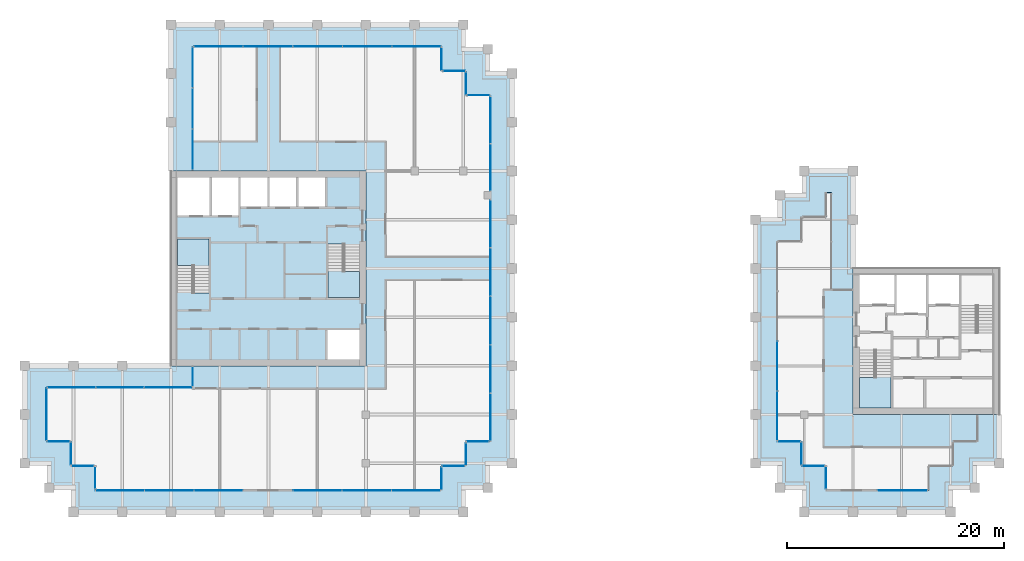
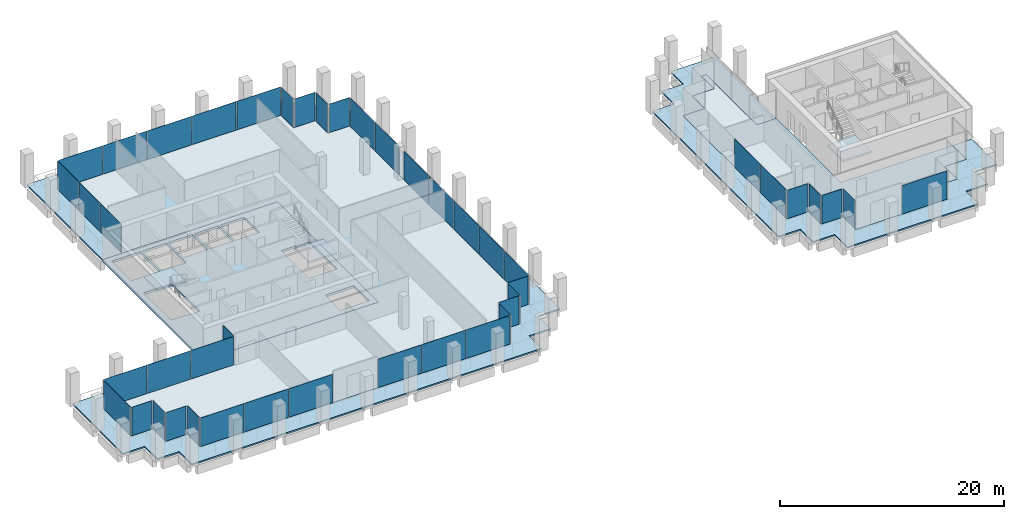
# One storey, part 34 of 40: 45 plates, 8 slabs, 30 elements without a shape of their own.
"""IFC4 building model written with IfcOpenShell, lengths in metres."""

from ifc_helpers import new_model, si_unit, direction, frame, origin, origin_2d, place, context, subcontext, project, spatial, polyline, rectangle, outline, extrude, material, layer, layer_set, type_object, element, aggregate, save


model = new_model("IFC4")

# Units and contexts
model_context = context("Model", 3, precision=1e-05, world=origin(), true_north=direction((0.0, 1.0)))
body_context = subcontext(model_context, "Body", "Model", "MODEL_VIEW")
ifc_project = project(units=[si_unit("LENGTHUNIT", "METRE"), si_unit("AREAUNIT", "SQUARE_METRE"), si_unit("VOLUMEUNIT", "CUBIC_METRE"), si_unit("PLANEANGLEUNIT", "RADIAN"), si_unit("MASSUNIT", "GRAM", prefix="KILO")], contexts=[model_context])

# Site, building, storey
site_placement = place(None, origin())
site = spatial("IfcSite", under=ifc_project, at=site_placement, CompositionType="ELEMENT")
building_placement = place(site_placement, origin())
building = spatial("IfcBuilding", under=site, at=building_placement, Name="Altepetl Exchange Towers", CompositionType="ELEMENT")
storey_placement = place(building_placement, frame((0.0, 0.0, 161.800048828125)))
storey = spatial("IfcBuildingStorey", under=building, at=storey_placement, Name="L40", CompositionType="ELEMENT", Elevation=161.800048828125)

# Slabs
ifc_material_1 = material(Name="Concrete C40/50", Category="concrete")
ifc_layer_1 = layer(ifc_material_1, 0.14990234375)
ifc_layer_set_1 = layer_set([ifc_layer_1], Name="Concrete C40/50")
slab_type_1 = type_object("IfcSlabType", Name="Composite floor slab 150", PredefinedType="FLOOR", material=ifc_layer_set_1)
slab_1_placement = place(storey_placement, frame((0.0, 0.0, -0.150146484375)))
element("IfcSlab", 1, at=slab_1_placement, inside=storey, type_object=slab_type_1, Name="slab:A:L40:strip0", PredefinedType="FLOOR", context=body_context, shape_type="SweptSolid", body=[
    extrude(outline(polyline([(42.5, 70.0), (42.5, 58.5), (58.5, 58.5), (58.5, 40.5), (42.5, 40.5), (42.5, 38.5), (29.0, 38.5), (29.0, 33.5), (31.25, 33.5), (31.25, 31.25), (33.5, 31.25), (33.5, 29.0), (65.5, 29.0), (65.5, 31.25), (67.75, 31.25), (67.75, 33.5), (70.0, 33.5), (70.0, 65.5), (67.75, 65.5), (67.75, 67.75), (65.5, 67.75), (65.5, 70.0), (42.5, 70.0)])), origin(), (0.0, 0.0, 1.0), 0.150146484375),
])
slab_2_placement = place(storey_placement, frame((0.0, 0.0, -0.150146484375)))
element("IfcSlab", 2, at=slab_2_placement, inside=storey, type_object=slab_type_1, Name="slab:B:L40:strip0", PredefinedType="FLOOR", context=body_context, shape_type="SweptSolid", body=[
    extrude(outline(polyline([(98.75, 31.25), (101.0, 31.25), (101.0, 29.0), (110.5, 29.0), (110.5, 31.25), (112.75, 31.25), (112.75, 33.5), (115.0, 33.5), (115.0, 36.0), (103.5, 36.0), (103.5, 47.5), (101.5, 47.5), (101.5, 56.5), (101.0, 56.5), (101.0, 54.25), (98.75, 54.25), (98.75, 52.0), (96.5, 52.0), (96.5, 33.5), (98.75, 33.5), (98.75, 31.25)])), origin(), (0.0, 0.0, 1.0), 0.150146484375),
])
ifc_layer_2 = layer(ifc_material_1, 0.25)
ifc_layer_set_2 = layer_set([ifc_layer_2], Name="Concrete C40/50")
slab_type_2 = type_object("IfcSlabType", Name="Core floor slab 250", PredefinedType="FLOOR", material=ifc_layer_set_2)
slab_3_placement = place(storey_placement, frame((0.0, 0.0, -0.25)))
element("IfcSlab", 3, at=slab_3_placement, inside=storey, type_object=slab_type_2, Name="slab:A:L40:core0", PredefinedType="FLOOR", context=body_context, shape_type="SweptSolid", body=[
    extrude(outline(polyline([(40.5, 40.5), (58.5, 40.5), (58.5, 58.5), (40.5, 58.5), (40.5, 40.5)]), holes=[polyline([(54.93310546875, 43.800048828125), (57.89990234375, 43.800048828125), (57.89990234375, 41.10009765625), (54.93310546875, 41.10009765625), (54.93310546875, 43.800048828125)]), polyline([(55.0, 51.7490234375), (56.5, 51.7490234375), (56.5, 51.64990234375), (57.89990234375, 51.64990234375), (57.89990234375, 46.800048828125), (55.0, 46.800048828125), (55.0, 51.7490234375)]), polyline([(44.0, 47.2509765625), (42.5, 47.2509765625), (42.5, 47.35009765625), (41.10009765625, 47.35009765625), (41.10009765625, 52.199951171875), (44.0, 52.199951171875), (44.0, 47.2509765625)]), polyline([(41.10009765625, 57.89990234375), (44.06689453125, 57.89990234375), (44.06689453125, 54.39990234375), (41.10009765625, 54.39990234375), (41.10009765625, 57.89990234375)]), polyline([(44.26708984375, 57.89990234375), (46.73291015625, 57.89990234375), (46.73291015625, 54.39990234375), (44.26708984375, 54.39990234375), (44.26708984375, 57.89990234375)]), polyline([(46.93310546875, 57.89990234375), (49.39990234375, 57.89990234375), (49.39990234375, 55.199951171875), (46.93310546875, 55.199951171875), (46.93310546875, 57.89990234375)]), polyline([(49.60009765625, 57.89990234375), (52.06689453125, 57.89990234375), (52.06689453125, 55.199951171875), (49.60009765625, 55.199951171875), (49.60009765625, 57.89990234375)]), polyline([(52.26708984375, 57.89990234375), (54.73291015625, 57.89990234375), (54.73291015625, 55.199951171875), (52.26708984375, 55.199951171875), (52.26708984375, 57.89990234375)])]), origin(), (0.0, 0.0, 1.0), 0.25),
])

# Curtain wall, plate
ifc_material_2 = material(Name="Aluminium 6063-T6 glazing", Category="aluminium")
curtain_wall_type = type_object("IfcCurtainWallType", Name="Loggia glazing system", PredefinedType="NOTDEFINED", material=ifc_material_2)
curtain_wall_1_placement = place(storey_placement, origin())
curtain_wall_1 = element("IfcCurtainWall", 4, at=curtain_wall_1_placement, inside=storey, type_object=curtain_wall_type, Name="CW1 run", PredefinedType="NOTDEFINED")
ifc_material_3 = material(Name="Glass 6-16-6 low emissivity", Category="glass")
ifc_layer_3 = layer(ifc_material_3, 0.028076171875)
ifc_layer_set_3 = layer_set([ifc_layer_3], Name="Glass 6-16-6 low emissivity")
plate_type = type_object("IfcPlateType", Name="Glass panel 28 double glazed", PredefinedType="CURTAIN_PANEL", material=ifc_layer_set_3)
plate_1_placement = place(storey_placement, frame((42.5, 39.53759765625, 0.0), z_axis=(0.0, 0.0, 1.0), x_axis=(0.0, -1.0, 0.0)))
plate_1 = element("IfcPlate", 5, at=plate_1_placement, type_object=plate_type, Name="GP1 panel", PredefinedType="CURTAIN_PANEL", context=body_context, shape_type="SweptSolid", body=[
    extrude(rectangle(XDim=1.804931640625, YDim=0.028076171875, at=origin_2d()), origin(), (0.0, 0.0, 1.0), 3.10009765625),
])
aggregate(curtain_wall_1, [plate_1])

# Curtain wall, plates
curtain_wall_2_placement = place(storey_placement, origin())
curtain_wall_2 = element("IfcCurtainWall", 6, at=curtain_wall_2_placement, inside=storey, type_object=curtain_wall_type, Name="CW1 run", PredefinedType="NOTDEFINED")
plate_2_placement = place(storey_placement, frame((40.24755859375, 38.5, 0.0), z_axis=(0.0, 0.0, 1.0), x_axis=(-1.0, 0.0, 0.0)))
plate_2 = element("IfcPlate", 7, at=plate_2_placement, type_object=plate_type, Name="GP1 panel", PredefinedType="CURTAIN_PANEL", context=body_context, shape_type="SweptSolid", body=[
    extrude(rectangle(XDim=4.385009765625, YDim=0.028076171875, at=origin_2d()), origin(), (0.0, 0.0, 1.0), 3.10009765625),
])
plate_3_placement = place(storey_placement, frame((35.78759765625, 38.5, 0.0), z_axis=(0.0, 0.0, 1.0), x_axis=(-1.0, 0.0, 0.0)))
plate_3 = element("IfcPlate", 8, at=plate_3_placement, type_object=plate_type, Name="GP1 panel", PredefinedType="CURTAIN_PANEL", context=body_context, shape_type="SweptSolid", body=[
    extrude(rectangle(XDim=4.4150390625, YDim=0.028076171875, at=origin_2d()), origin(), (0.0, 0.0, 1.0), 3.10009765625),
])
plate_4_placement = place(storey_placement, frame((31.327392578125, 38.5, 0.0), z_axis=(0.0, 0.0, 1.0), x_axis=(-1.0, 0.0, 0.0)))
plate_4 = element("IfcPlate", 9, at=plate_4_placement, type_object=plate_type, Name="GP1 panel", PredefinedType="CURTAIN_PANEL", context=body_context, shape_type="SweptSolid", body=[
    extrude(rectangle(XDim=4.385009765625, YDim=0.028076171875, at=origin_2d()), origin(), (0.0, 0.0, 1.0), 3.10009765625),
])
aggregate(curtain_wall_2, [plate_2, plate_3, plate_4])

# Curtain wall, plate
curtain_wall_3_placement = place(storey_placement, origin())
curtain_wall_3 = element("IfcCurtainWall", 10, at=curtain_wall_3_placement, inside=storey, type_object=curtain_wall_type, Name="CW1 run", PredefinedType="NOTDEFINED")
plate_5_placement = place(storey_placement, frame((29.0, 36.03759765625, 0.0), z_axis=(0.0, 0.0, 1.0), x_axis=(0.0, -1.0, 0.0)))
plate_5 = element("IfcPlate", 11, at=plate_5_placement, type_object=plate_type, Name="GP1 panel", PredefinedType="CURTAIN_PANEL", context=body_context, shape_type="SweptSolid", body=[
    extrude(rectangle(XDim=4.804931640625, YDim=0.028076171875, at=origin_2d()), origin(), (0.0, 0.0, 1.0), 3.10009765625),
])
aggregate(curtain_wall_3, [plate_5])

curtain_wall_4_placement = place(storey_placement, origin())
curtain_wall_4 = element("IfcCurtainWall", 12, at=curtain_wall_4_placement, inside=storey, type_object=curtain_wall_type, Name="CW1 run", PredefinedType="NOTDEFINED")
plate_6_placement = place(storey_placement, frame((30.08740234375, 33.5, 0.0)))
plate_6 = element("IfcPlate", 13, at=plate_6_placement, type_object=plate_type, Name="GP1 panel", PredefinedType="CURTAIN_PANEL", context=body_context, shape_type="SweptSolid", body=[
    extrude(rectangle(XDim=2.054931640625, YDim=0.028076171875, at=origin_2d()), origin(), (0.0, 0.0, 1.0), 3.10009765625),
])
aggregate(curtain_wall_4, [plate_6])

curtain_wall_5_placement = place(storey_placement, origin())
curtain_wall_5 = element("IfcCurtainWall", 14, at=curtain_wall_5_placement, inside=storey, type_object=curtain_wall_type, Name="CW1 run", PredefinedType="NOTDEFINED")
plate_7_placement = place(storey_placement, frame((31.25, 32.41259765625, 0.0), z_axis=(0.0, 0.0, 1.0), x_axis=(0.0, -1.0, 0.0)))
plate_7 = element("IfcPlate", 15, at=plate_7_placement, type_object=plate_type, Name="GP1 panel", PredefinedType="CURTAIN_PANEL", context=body_context, shape_type="SweptSolid", body=[
    extrude(rectangle(XDim=2.054931640625, YDim=0.028076171875, at=origin_2d()), origin(), (0.0, 0.0, 1.0), 3.10009765625),
])
aggregate(curtain_wall_5, [plate_7])

curtain_wall_6_placement = place(storey_placement, origin())
curtain_wall_6 = element("IfcCurtainWall", 16, at=curtain_wall_6_placement, inside=storey, type_object=curtain_wall_type, Name="CW1 run", PredefinedType="NOTDEFINED")
plate_8_placement = place(storey_placement, frame((32.33740234375, 31.25, 0.0)))
plate_8 = element("IfcPlate", 17, at=plate_8_placement, type_object=plate_type, Name="GP1 panel", PredefinedType="CURTAIN_PANEL", context=body_context, shape_type="SweptSolid", body=[
    extrude(rectangle(XDim=2.054931640625, YDim=0.028076171875, at=origin_2d()), origin(), (0.0, 0.0, 1.0), 3.10009765625),
])
aggregate(curtain_wall_6, [plate_8])

curtain_wall_7_placement = place(storey_placement, origin())
curtain_wall_7 = element("IfcCurtainWall", 18, at=curtain_wall_7_placement, inside=storey, type_object=curtain_wall_type, Name="CW1 run", PredefinedType="NOTDEFINED")
plate_9_placement = place(storey_placement, frame((33.5, 30.16259765625, 0.0), z_axis=(0.0, 0.0, 1.0), x_axis=(0.0, -1.0, 0.0)))
plate_9 = element("IfcPlate", 19, at=plate_9_placement, type_object=plate_type, Name="GP1 panel", PredefinedType="CURTAIN_PANEL", context=body_context, shape_type="SweptSolid", body=[
    extrude(rectangle(XDim=2.054931640625, YDim=0.028076171875, at=origin_2d()), origin(), (0.0, 0.0, 1.0), 3.10009765625),
])
aggregate(curtain_wall_7, [plate_9])

# Curtain wall, plates
curtain_wall_8_placement = place(storey_placement, origin())
curtain_wall_8 = element("IfcCurtainWall", 20, at=curtain_wall_8_placement, inside=storey, type_object=curtain_wall_type, Name="CW1 run", PredefinedType="NOTDEFINED")
plate_10_placement = place(storey_placement, frame((35.79541015625, 29.0, 0.0)))
plate_10 = element("IfcPlate", 21, at=plate_10_placement, type_object=plate_type, Name="GP1 panel", PredefinedType="CURTAIN_PANEL", context=body_context, shape_type="SweptSolid", body=[
    extrude(rectangle(XDim=4.470703125, YDim=0.028076171875, at=origin_2d()), origin(), (0.0, 0.0, 1.0), 3.10009765625),
])
plate_11_placement = place(storey_placement, frame((40.341064453125, 29.0, 0.0)))
plate_11 = element("IfcPlate", 22, at=plate_11_placement, type_object=plate_type, Name="GP1 panel", PredefinedType="CURTAIN_PANEL", context=body_context, shape_type="SweptSolid", body=[
    extrude(rectangle(XDim=4.500732421875, YDim=0.028076171875, at=origin_2d()), origin(), (0.0, 0.0, 1.0), 3.10009765625),
])
plate_12_placement = place(storey_placement, frame((44.88671875, 29.0, 0.0)))
plate_12 = element("IfcPlate", 23, at=plate_12_placement, type_object=plate_type, Name="GP1 panel", PredefinedType="CURTAIN_PANEL", context=body_context, shape_type="SweptSolid", body=[
    extrude(rectangle(XDim=4.470703125, YDim=0.028076171875, at=origin_2d()), origin(), (0.0, 0.0, 1.0), 3.10009765625),
])
aggregate(curtain_wall_8, [plate_10, plate_11, plate_12])

curtain_wall_9_placement = place(storey_placement, origin())
curtain_wall_9 = element("IfcCurtainWall", 24, at=curtain_wall_9_placement, inside=storey, type_object=curtain_wall_type, Name="CW1 run", PredefinedType="NOTDEFINED")
plate_13_placement = place(storey_placement, frame((54.038330078125, 29.0, 0.0)))
plate_13 = element("IfcPlate", 25, at=plate_13_placement, type_object=plate_type, Name="GP1 panel", PredefinedType="CURTAIN_PANEL", context=body_context, shape_type="SweptSolid", body=[
    extrude(rectangle(XDim=4.470703125, YDim=0.028076171875, at=origin_2d()), origin(), (0.0, 0.0, 1.0), 3.10009765625),
])
plate_14_placement = place(storey_placement, frame((58.583984375, 29.0, 0.0)))
plate_14 = element("IfcPlate", 26, at=plate_14_placement, type_object=plate_type, Name="GP1 panel", PredefinedType="CURTAIN_PANEL", context=body_context, shape_type="SweptSolid", body=[
    extrude(rectangle(XDim=4.500732421875, YDim=0.028076171875, at=origin_2d()), origin(), (0.0, 0.0, 1.0), 3.10009765625),
])
plate_15_placement = place(storey_placement, frame((63.129638671875, 29.0, 0.0)))
plate_15 = element("IfcPlate", 27, at=plate_15_placement, type_object=plate_type, Name="GP1 panel", PredefinedType="CURTAIN_PANEL", context=body_context, shape_type="SweptSolid", body=[
    extrude(rectangle(XDim=4.470703125, YDim=0.028076171875, at=origin_2d()), origin(), (0.0, 0.0, 1.0), 3.10009765625),
])
aggregate(curtain_wall_9, [plate_13, plate_14, plate_15])

# Curtain wall, plate
curtain_wall_10_placement = place(storey_placement, origin())
curtain_wall_10 = element("IfcCurtainWall", 28, at=curtain_wall_10_placement, inside=storey, type_object=curtain_wall_type, Name="CW1 run", PredefinedType="NOTDEFINED")
plate_16_placement = place(storey_placement, frame((65.5, 30.08740234375, 0.0), z_axis=(0.0, 0.0, 1.0), x_axis=(0.0, 1.0, 0.0)))
plate_16 = element("IfcPlate", 29, at=plate_16_placement, type_object=plate_type, Name="GP1 panel", PredefinedType="CURTAIN_PANEL", context=body_context, shape_type="SweptSolid", body=[
    extrude(rectangle(XDim=2.054931640625, YDim=0.028076171875, at=origin_2d()), origin(), (0.0, 0.0, 1.0), 3.10009765625),
])
aggregate(curtain_wall_10, [plate_16])

curtain_wall_11_placement = place(storey_placement, origin())
curtain_wall_11 = element("IfcCurtainWall", 30, at=curtain_wall_11_placement, inside=storey, type_object=curtain_wall_type, Name="CW1 run", PredefinedType="NOTDEFINED")
plate_17_placement = place(storey_placement, frame((66.58740234375, 31.25, 0.0)))
plate_17 = element("IfcPlate", 31, at=plate_17_placement, type_object=plate_type, Name="GP1 panel", PredefinedType="CURTAIN_PANEL", context=body_context, shape_type="SweptSolid", body=[
    extrude(rectangle(XDim=2.054931640625, YDim=0.028076171875, at=origin_2d()), origin(), (0.0, 0.0, 1.0), 3.10009765625),
])
aggregate(curtain_wall_11, [plate_17])

curtain_wall_12_placement = place(storey_placement, origin())
curtain_wall_12 = element("IfcCurtainWall", 32, at=curtain_wall_12_placement, inside=storey, type_object=curtain_wall_type, Name="CW1 run", PredefinedType="NOTDEFINED")
plate_18_placement = place(storey_placement, frame((67.75, 32.33740234375, 0.0), z_axis=(0.0, 0.0, 1.0), x_axis=(0.0, 1.0, 0.0)))
plate_18 = element("IfcPlate", 33, at=plate_18_placement, type_object=plate_type, Name="GP1 panel", PredefinedType="CURTAIN_PANEL", context=body_context, shape_type="SweptSolid", body=[
    extrude(rectangle(XDim=2.054931640625, YDim=0.028076171875, at=origin_2d()), origin(), (0.0, 0.0, 1.0), 3.10009765625),
])
aggregate(curtain_wall_12, [plate_18])

curtain_wall_13_placement = place(storey_placement, origin())
curtain_wall_13 = element("IfcCurtainWall", 34, at=curtain_wall_13_placement, inside=storey, type_object=curtain_wall_type, Name="CW1 run", PredefinedType="NOTDEFINED")
plate_19_placement = place(storey_placement, frame((68.83740234375, 33.5, 0.0)))
plate_19 = element("IfcPlate", 35, at=plate_19_placement, type_object=plate_type, Name="GP1 panel", PredefinedType="CURTAIN_PANEL", context=body_context, shape_type="SweptSolid", body=[
    extrude(rectangle(XDim=2.054931640625, YDim=0.028076171875, at=origin_2d()), origin(), (0.0, 0.0, 1.0), 3.10009765625),
])
aggregate(curtain_wall_13, [plate_19])

# Curtain wall, plates
curtain_wall_14_placement = place(storey_placement, origin())
curtain_wall_14 = element("IfcCurtainWall", 36, at=curtain_wall_14_placement, inside=storey, type_object=curtain_wall_type, Name="CW1 run", PredefinedType="NOTDEFINED")
plate_20_placement = place(storey_placement, frame((70.0, 35.7529296875, 0.0), z_axis=(0.0, 0.0, 1.0), x_axis=(0.0, 1.0, 0.0)))
plate_20 = element("IfcPlate", 37, at=plate_20_placement, type_object=plate_type, Name="GP1 panel", PredefinedType="CURTAIN_PANEL", context=body_context, shape_type="SweptSolid", body=[
    extrude(rectangle(XDim=4.385986328125, YDim=0.028076171875, at=origin_2d()), origin(), (0.0, 0.0, 1.0), 3.10009765625),
])
plate_21_placement = place(storey_placement, frame((70.0, 40.214111328125, 0.0), z_axis=(0.0, 0.0, 1.0), x_axis=(0.0, 1.0, 0.0)))
plate_21 = element("IfcPlate", 38, at=plate_21_placement, type_object=plate_type, Name="GP1 panel", PredefinedType="CURTAIN_PANEL", context=body_context, shape_type="SweptSolid", body=[
    extrude(rectangle(XDim=4.416015625, YDim=0.028076171875, at=origin_2d()), origin(), (0.0, 0.0, 1.0), 3.10009765625),
])
plate_22_placement = place(storey_placement, frame((70.0, 44.68994140625, 0.0), z_axis=(0.0, 0.0, 1.0), x_axis=(0.0, 1.0, 0.0)))
plate_22 = element("IfcPlate", 39, at=plate_22_placement, type_object=plate_type, Name="GP1 panel", PredefinedType="CURTAIN_PANEL", context=body_context, shape_type="SweptSolid", body=[
    extrude(rectangle(XDim=4.416015625, YDim=0.028076171875, at=origin_2d()), origin(), (0.0, 0.0, 1.0), 3.10009765625),
])
plate_23_placement = place(storey_placement, frame((70.0, 49.166015625, 0.0), z_axis=(0.0, 0.0, 1.0), x_axis=(0.0, 1.0, 0.0)))
plate_23 = element("IfcPlate", 40, at=plate_23_placement, type_object=plate_type, Name="GP1 panel", PredefinedType="CURTAIN_PANEL", context=body_context, shape_type="SweptSolid", body=[
    extrude(rectangle(XDim=4.416015625, YDim=0.028076171875, at=origin_2d()), origin(), (0.0, 0.0, 1.0), 3.10009765625),
])
plate_24_placement = place(storey_placement, frame((70.0, 53.626953125, 0.0), z_axis=(0.0, 0.0, 1.0), x_axis=(0.0, 1.0, 0.0)))
plate_24 = element("IfcPlate", 41, at=plate_24_placement, type_object=plate_type, Name="GP1 panel", PredefinedType="CURTAIN_PANEL", context=body_context, shape_type="SweptSolid", body=[
    extrude(rectangle(XDim=4.385986328125, YDim=0.028076171875, at=origin_2d()), origin(), (0.0, 0.0, 1.0), 3.10009765625),
])
aggregate(curtain_wall_14, [plate_20, plate_21, plate_22, plate_23, plate_24])

curtain_wall_15_placement = place(storey_placement, origin())
curtain_wall_15 = element("IfcCurtainWall", 42, at=curtain_wall_15_placement, inside=storey, type_object=curtain_wall_type, Name="CW1 run", PredefinedType="NOTDEFINED")
plate_25_placement = place(storey_placement, frame((70.0, 58.836181640625, 0.0), z_axis=(0.0, 0.0, 1.0), x_axis=(0.0, 1.0, 0.0)))
plate_25 = element("IfcPlate", 43, at=plate_25_placement, type_object=plate_type, Name="GP1 panel", PredefinedType="CURTAIN_PANEL", context=body_context, shape_type="SweptSolid", body=[
    extrude(rectangle(XDim=4.3125, YDim=0.028076171875, at=origin_2d()), origin(), (0.0, 0.0, 1.0), 3.10009765625),
])
plate_26_placement = place(storey_placement, frame((70.0, 63.208740234375, 0.0), z_axis=(0.0, 0.0, 1.0), x_axis=(0.0, 1.0, 0.0)))
plate_26 = element("IfcPlate", 44, at=plate_26_placement, type_object=plate_type, Name="GP1 panel", PredefinedType="CURTAIN_PANEL", context=body_context, shape_type="SweptSolid", body=[
    extrude(rectangle(XDim=4.3125, YDim=0.028076171875, at=origin_2d()), origin(), (0.0, 0.0, 1.0), 3.10009765625),
])
aggregate(curtain_wall_15, [plate_25, plate_26])

# Curtain wall, plate
curtain_wall_16_placement = place(storey_placement, origin())
curtain_wall_16 = element("IfcCurtainWall", 45, at=curtain_wall_16_placement, inside=storey, type_object=curtain_wall_type, Name="CW1 run", PredefinedType="NOTDEFINED")
plate_27_placement = place(storey_placement, frame((68.91259765625, 65.5, 0.0), z_axis=(0.0, 0.0, 1.0), x_axis=(-1.0, 0.0, 0.0)))
plate_27 = element("IfcPlate", 46, at=plate_27_placement, type_object=plate_type, Name="GP1 panel", PredefinedType="CURTAIN_PANEL", context=body_context, shape_type="SweptSolid", body=[
    extrude(rectangle(XDim=2.054931640625, YDim=0.028076171875, at=origin_2d()), origin(), (0.0, 0.0, 1.0), 3.10009765625),
])
aggregate(curtain_wall_16, [plate_27])

curtain_wall_17_placement = place(storey_placement, origin())
curtain_wall_17 = element("IfcCurtainWall", 47, at=curtain_wall_17_placement, inside=storey, type_object=curtain_wall_type, Name="CW1 run", PredefinedType="NOTDEFINED")
plate_28_placement = place(storey_placement, frame((67.75, 66.58740234375, 0.0), z_axis=(0.0, 0.0, 1.0), x_axis=(0.0, 1.0, 0.0)))
plate_28 = element("IfcPlate", 48, at=plate_28_placement, type_object=plate_type, Name="GP1 panel", PredefinedType="CURTAIN_PANEL", context=body_context, shape_type="SweptSolid", body=[
    extrude(rectangle(XDim=2.054931640625, YDim=0.028076171875, at=origin_2d()), origin(), (0.0, 0.0, 1.0), 3.10009765625),
])
aggregate(curtain_wall_17, [plate_28])

curtain_wall_18_placement = place(storey_placement, origin())
curtain_wall_18 = element("IfcCurtainWall", 49, at=curtain_wall_18_placement, inside=storey, type_object=curtain_wall_type, Name="CW1 run", PredefinedType="NOTDEFINED")
plate_29_placement = place(storey_placement, frame((66.66259765625, 67.75, 0.0), z_axis=(0.0, 0.0, 1.0), x_axis=(-1.0, 0.0, 0.0)))
plate_29 = element("IfcPlate", 50, at=plate_29_placement, type_object=plate_type, Name="GP1 panel", PredefinedType="CURTAIN_PANEL", context=body_context, shape_type="SweptSolid", body=[
    extrude(rectangle(XDim=2.054931640625, YDim=0.028076171875, at=origin_2d()), origin(), (0.0, 0.0, 1.0), 3.10009765625),
])
aggregate(curtain_wall_18, [plate_29])

curtain_wall_19_placement = place(storey_placement, origin())
curtain_wall_19 = element("IfcCurtainWall", 51, at=curtain_wall_19_placement, inside=storey, type_object=curtain_wall_type, Name="CW1 run", PredefinedType="NOTDEFINED")
plate_30_placement = place(storey_placement, frame((65.5, 68.83740234375, 0.0), z_axis=(0.0, 0.0, 1.0), x_axis=(0.0, 1.0, 0.0)))
plate_30 = element("IfcPlate", 52, at=plate_30_placement, type_object=plate_type, Name="GP1 panel", PredefinedType="CURTAIN_PANEL", context=body_context, shape_type="SweptSolid", body=[
    extrude(rectangle(XDim=2.054931640625, YDim=0.028076171875, at=origin_2d()), origin(), (0.0, 0.0, 1.0), 3.10009765625),
])
aggregate(curtain_wall_19, [plate_30])

# Curtain wall, plates
curtain_wall_20_placement = place(storey_placement, origin())
curtain_wall_20 = element("IfcCurtainWall", 53, at=curtain_wall_20_placement, inside=storey, type_object=curtain_wall_type, Name="CW1 run", PredefinedType="NOTDEFINED")
plate_31_placement = place(storey_placement, frame((63.1923828125, 70.0, 0.0), z_axis=(0.0, 0.0, 1.0), x_axis=(-1.0, 0.0, 0.0)))
plate_31 = element("IfcPlate", 54, at=plate_31_placement, type_object=plate_type, Name="GP1 panel", PredefinedType="CURTAIN_PANEL", context=body_context, shape_type="SweptSolid", body=[
    extrude(rectangle(XDim=4.4951171875, YDim=0.028076171875, at=origin_2d()), origin(), (0.0, 0.0, 1.0), 3.10009765625),
])
plate_32_placement = place(storey_placement, frame((58.62255859375, 70.0, 0.0), z_axis=(0.0, 0.0, 1.0), x_axis=(-1.0, 0.0, 0.0)))
plate_32 = element("IfcPlate", 55, at=plate_32_placement, type_object=plate_type, Name="GP1 panel", PredefinedType="CURTAIN_PANEL", context=body_context, shape_type="SweptSolid", body=[
    extrude(rectangle(XDim=4.52490234375, YDim=0.028076171875, at=origin_2d()), origin(), (0.0, 0.0, 1.0), 3.10009765625),
])
plate_33_placement = place(storey_placement, frame((54.03759765625, 70.0, 0.0), z_axis=(0.0, 0.0, 1.0), x_axis=(-1.0, 0.0, 0.0)))
plate_33 = element("IfcPlate", 56, at=plate_33_placement, type_object=plate_type, Name="GP1 panel", PredefinedType="CURTAIN_PANEL", context=body_context, shape_type="SweptSolid", body=[
    extrude(rectangle(XDim=4.52490234375, YDim=0.028076171875, at=origin_2d()), origin(), (0.0, 0.0, 1.0), 3.10009765625),
])
plate_34_placement = place(storey_placement, frame((49.452392578125, 70.0, 0.0), z_axis=(0.0, 0.0, 1.0), x_axis=(-1.0, 0.0, 0.0)))
plate_34 = element("IfcPlate", 57, at=plate_34_placement, type_object=plate_type, Name="GP1 panel", PredefinedType="CURTAIN_PANEL", context=body_context, shape_type="SweptSolid", body=[
    extrude(rectangle(XDim=4.52490234375, YDim=0.028076171875, at=origin_2d()), origin(), (0.0, 0.0, 1.0), 3.10009765625),
])
plate_35_placement = place(storey_placement, frame((44.882568359375, 70.0, 0.0), z_axis=(0.0, 0.0, 1.0), x_axis=(-1.0, 0.0, 0.0)))
plate_35 = element("IfcPlate", 58, at=plate_35_placement, type_object=plate_type, Name="GP1 panel", PredefinedType="CURTAIN_PANEL", context=body_context, shape_type="SweptSolid", body=[
    extrude(rectangle(XDim=4.4951171875, YDim=0.028076171875, at=origin_2d()), origin(), (0.0, 0.0, 1.0), 3.10009765625),
])
aggregate(curtain_wall_20, [plate_31, plate_32, plate_33, plate_34, plate_35])

curtain_wall_21_placement = place(storey_placement, origin())
curtain_wall_21 = element("IfcCurtainWall", 59, at=curtain_wall_21_placement, inside=storey, type_object=curtain_wall_type, Name="CW1 run", PredefinedType="NOTDEFINED")
plate_36_placement = place(storey_placement, frame((42.5, 68.080810546875, 0.0), z_axis=(0.0, 0.0, 1.0), x_axis=(0.0, -1.0, 0.0)))
plate_36 = element("IfcPlate", 60, at=plate_36_placement, type_object=plate_type, Name="GP1 panel", PredefinedType="CURTAIN_PANEL", context=body_context, shape_type="SweptSolid", body=[
    extrude(rectangle(XDim=3.71826171875, YDim=0.028076171875, at=origin_2d()), origin(), (0.0, 0.0, 1.0), 3.10009765625),
])
plate_37_placement = place(storey_placement, frame((42.5, 64.28759765625, 0.0), z_axis=(0.0, 0.0, 1.0), x_axis=(0.0, -1.0, 0.0)))
plate_37 = element("IfcPlate", 61, at=plate_37_placement, type_object=plate_type, Name="GP1 panel", PredefinedType="CURTAIN_PANEL", context=body_context, shape_type="SweptSolid", body=[
    extrude(rectangle(XDim=3.748291015625, YDim=0.028076171875, at=origin_2d()), origin(), (0.0, 0.0, 1.0), 3.10009765625),
])
plate_38_placement = place(storey_placement, frame((42.5, 60.494140625, 0.0), z_axis=(0.0, 0.0, 1.0), x_axis=(0.0, -1.0, 0.0)))
plate_38 = element("IfcPlate", 62, at=plate_38_placement, type_object=plate_type, Name="GP1 panel", PredefinedType="CURTAIN_PANEL", context=body_context, shape_type="SweptSolid", body=[
    extrude(rectangle(XDim=3.71826171875, YDim=0.028076171875, at=origin_2d()), origin(), (0.0, 0.0, 1.0), 3.10009765625),
])
aggregate(curtain_wall_21, [plate_36, plate_37, plate_38])

# Curtain wall, plate
curtain_wall_22_placement = place(storey_placement, origin())
curtain_wall_22 = element("IfcCurtainWall", 63, at=curtain_wall_22_placement, inside=storey, type_object=curtain_wall_type, Name="CW1 run", PredefinedType="NOTDEFINED")
plate_39_placement = place(storey_placement, frame((101.0, 30.16259765625, 0.0), z_axis=(0.0, 0.0, 1.0), x_axis=(0.0, -1.0, 0.0)))
plate_39 = element("IfcPlate", 64, at=plate_39_placement, type_object=plate_type, Name="GP1 panel", PredefinedType="CURTAIN_PANEL", context=body_context, shape_type="SweptSolid", body=[
    extrude(rectangle(XDim=2.054931640625, YDim=0.028076171875, at=origin_2d()), origin(), (0.0, 0.0, 1.0), 3.10009765625),
])
aggregate(curtain_wall_22, [plate_39])

curtain_wall_23_placement = place(storey_placement, origin())
curtain_wall_23 = element("IfcCurtainWall", 65, at=curtain_wall_23_placement, inside=storey, type_object=curtain_wall_type, Name="CW1 run", PredefinedType="NOTDEFINED")
plate_40_placement = place(storey_placement, frame((108.06884765625, 29.0, 0.0)))
plate_40 = element("IfcPlate", 66, at=plate_40_placement, type_object=plate_type, Name="GP1 panel", PredefinedType="CURTAIN_PANEL", context=body_context, shape_type="SweptSolid", body=[
    extrude(rectangle(XDim=4.592529296875, YDim=0.028076171875, at=origin_2d()), origin(), (0.0, 0.0, 1.0), 3.10009765625),
])
aggregate(curtain_wall_23, [plate_40])

# Curtain wall, plates
curtain_wall_24_placement = place(storey_placement, origin())
curtain_wall_24 = element("IfcCurtainWall", 67, at=curtain_wall_24_placement, inside=storey, type_object=curtain_wall_type, Name="CW1 run", PredefinedType="NOTDEFINED")
plate_41_placement = place(storey_placement, frame((96.5, 40.484375, 0.0), z_axis=(0.0, 0.0, 1.0), x_axis=(0.0, -1.0, 0.0)))
plate_41 = element("IfcPlate", 68, at=plate_41_placement, type_object=plate_type, Name="GP1 panel", PredefinedType="CURTAIN_PANEL", context=body_context, shape_type="SweptSolid", body=[
    extrude(rectangle(XDim=4.546142578125, YDim=0.028076171875, at=origin_2d()), origin(), (0.0, 0.0, 1.0), 3.10009765625),
])
plate_42_placement = place(storey_placement, frame((96.5, 35.89306640625, 0.0), z_axis=(0.0, 0.0, 1.0), x_axis=(0.0, -1.0, 0.0)))
plate_42 = element("IfcPlate", 69, at=plate_42_placement, type_object=plate_type, Name="GP1 panel", PredefinedType="CURTAIN_PANEL", context=body_context, shape_type="SweptSolid", body=[
    extrude(rectangle(XDim=4.516357421875, YDim=0.028076171875, at=origin_2d()), origin(), (0.0, 0.0, 1.0), 3.10009765625),
])
aggregate(curtain_wall_24, [plate_41, plate_42])

# Curtain wall, plate
curtain_wall_25_placement = place(storey_placement, origin())
curtain_wall_25 = element("IfcCurtainWall", 70, at=curtain_wall_25_placement, inside=storey, type_object=curtain_wall_type, Name="CW1 run", PredefinedType="NOTDEFINED")
plate_43_placement = place(storey_placement, frame((97.58740234375, 33.5, 0.0)))
plate_43 = element("IfcPlate", 71, at=plate_43_placement, type_object=plate_type, Name="GP1 panel", PredefinedType="CURTAIN_PANEL", context=body_context, shape_type="SweptSolid", body=[
    extrude(rectangle(XDim=2.054931640625, YDim=0.028076171875, at=origin_2d()), origin(), (0.0, 0.0, 1.0), 3.10009765625),
])
aggregate(curtain_wall_25, [plate_43])

curtain_wall_26_placement = place(storey_placement, origin())
curtain_wall_26 = element("IfcCurtainWall", 72, at=curtain_wall_26_placement, inside=storey, type_object=curtain_wall_type, Name="CW1 run", PredefinedType="NOTDEFINED")
plate_44_placement = place(storey_placement, frame((98.75, 32.41259765625, 0.0), z_axis=(0.0, 0.0, 1.0), x_axis=(0.0, -1.0, 0.0)))
plate_44 = element("IfcPlate", 73, at=plate_44_placement, type_object=plate_type, Name="GP1 panel", PredefinedType="CURTAIN_PANEL", context=body_context, shape_type="SweptSolid", body=[
    extrude(rectangle(XDim=2.054931640625, YDim=0.028076171875, at=origin_2d()), origin(), (0.0, 0.0, 1.0), 3.10009765625),
])
aggregate(curtain_wall_26, [plate_44])

curtain_wall_27_placement = place(storey_placement, origin())
curtain_wall_27 = element("IfcCurtainWall", 74, at=curtain_wall_27_placement, inside=storey, type_object=curtain_wall_type, Name="CW1 run", PredefinedType="NOTDEFINED")
plate_45_placement = place(storey_placement, frame((99.83740234375, 31.25, 0.0)))
plate_45 = element("IfcPlate", 75, at=plate_45_placement, type_object=plate_type, Name="GP1 panel", PredefinedType="CURTAIN_PANEL", context=body_context, shape_type="SweptSolid", body=[
    extrude(rectangle(XDim=2.054931640625, YDim=0.028076171875, at=origin_2d()), origin(), (0.0, 0.0, 1.0), 3.10009765625),
])
aggregate(curtain_wall_27, [plate_45])

# Slabs
ifc_layer_4 = layer(ifc_material_1, 0.14990234375)
ifc_layer_set_4 = layer_set([ifc_layer_4], Name="Concrete C40/50")
slab_type_3 = type_object("IfcSlabType", Name="Loggia slab 150", PredefinedType="FLOOR", material=ifc_layer_set_4)
slab_4_placement = place(storey_placement, frame((0.0, 0.0, -0.150146484375)))
element("IfcSlab", 76, at=slab_4_placement, inside=storey, type_object=slab_type_3, Name="slab:A:L40:loggia0", PredefinedType="FLOOR", context=body_context, shape_type="SweptSolid", body=[
    extrude(outline(polyline([(40.5, 72.0), (40.5, 58.5), (42.5, 58.5), (42.5, 70.0), (65.5, 70.0), (65.5, 67.75), (67.75, 67.75), (67.75, 65.5), (70.0, 65.5), (70.0, 33.5), (67.75, 33.5), (67.75, 31.25), (65.5, 31.25), (65.5, 29.0), (33.5, 29.0), (33.5, 31.25), (31.25, 31.25), (31.25, 33.5), (29.0, 33.5), (29.0, 38.5), (42.5, 38.5), (42.5, 40.5), (40.5, 40.5), (27.0, 40.5), (27.0, 31.5), (29.25, 31.5), (29.25, 29.25), (31.5, 29.25), (31.5, 27.0), (58.5, 27.0), (67.5, 27.0), (67.5, 29.25), (69.75, 29.25), (69.75, 31.5), (72.0, 31.5), (72.0, 58.5), (72.0, 67.5), (69.75, 67.5), (69.75, 69.75), (67.5, 69.75), (67.5, 72.0), (40.5, 72.0)])), origin(), (0.0, 0.0, 1.0), 0.150146484375),
])
slab_5_placement = place(storey_placement, frame((0.0, 0.0, -0.150146484375)))
element("IfcSlab", 77, at=slab_5_placement, inside=storey, type_object=slab_type_3, Name="slab:B:L40:loggia0", PredefinedType="FLOOR", context=body_context, shape_type="SweptSolid", body=[
    extrude(outline(polyline([(99.0, 29.25), (99.0, 27.0), (112.5, 27.0), (112.5, 29.25), (114.75, 29.25), (114.75, 31.5), (117.0, 31.5), (117.0, 36.0), (115.0, 36.0), (115.0, 33.5), (112.75, 33.5), (112.75, 31.25), (110.5, 31.25), (110.5, 29.0), (101.0, 29.0), (101.0, 31.25), (98.75, 31.25), (98.75, 33.5), (96.5, 33.5), (96.5, 52.0), (98.75, 52.0), (98.75, 54.25), (101.0, 54.25), (101.0, 56.5), (101.5, 56.5), (101.5, 47.5), (103.5, 47.5), (103.5, 49.5), (103.5, 58.5), (99.0, 58.5), (99.0, 56.25), (96.75, 56.25), (96.75, 54.0), (94.5, 54.0), (94.5, 36.0), (94.5, 31.5), (96.75, 31.5), (96.75, 29.25), (99.0, 29.25)])), origin(), (0.0, 0.0, 1.0), 0.150146484375),
])

# Stair, slab
stair_type = type_object("IfcStairType", Name="Exit stair 1400 flights dogleg", PredefinedType="HALF_TURN_STAIR", material=ifc_material_1)
stair_1_placement = place(storey_placement, origin())
stair_1 = element("IfcStair", 78, at=stair_1_placement, inside=storey, type_object=stair_type, Name="Exit stair 1", PredefinedType="HALF_TURN_STAIR")
ifc_layer_5 = layer(ifc_material_1, 0.199951171875)
ifc_layer_set_5 = layer_set([ifc_layer_5], Name="Concrete C40/50")
slab_type_4 = type_object("IfcSlabType", Name="Stair landing 200 reinforced concrete", PredefinedType="LANDING", material=ifc_layer_set_5)
slab_6_placement = place(storey_placement, frame((0.0, 0.0, 1.599853515625)))
slab_6 = element("IfcSlab", 79, at=slab_6_placement, type_object=slab_type_4, Name="ST-A1e landing 1", PredefinedType="LANDING", context=body_context, shape_type="SweptSolid", body=[
    extrude(outline(polyline([(44.0, 49.669921875), (42.60009765625, 49.669921875), (42.60009765625, 49.77001953125), (42.5, 49.77001953125), (42.5, 49.769287109375), (41.10009765625, 49.769287109375), (41.10009765625, 49.77001953125), (41.10009765625, 52.199951171875), (44.0, 52.199951171875), (44.0, 49.77001953125), (44.0, 49.669921875)])), origin(), (0.0, 0.0, 1.0), 0.2001953125),
])
aggregate(stair_1, [slab_6])

stair_2_placement = place(storey_placement, origin())
stair_2 = element("IfcStair", 80, at=stair_2_placement, inside=storey, type_object=stair_type, Name="Exit stair 2", PredefinedType="HALF_TURN_STAIR")
slab_7_placement = place(storey_placement, frame((0.0, 0.0, 1.599853515625)))
slab_7 = element("IfcSlab", 81, at=slab_7_placement, type_object=slab_type_4, Name="ST-A2e landing 1", PredefinedType="LANDING", context=body_context, shape_type="SweptSolid", body=[
    extrude(outline(polyline([(57.89990234375, 46.800048828125), (55.0, 46.800048828125), (55.0, 49.22998046875), (55.0, 49.330078125), (56.39990234375, 49.330078125), (56.39990234375, 49.22998046875), (56.5, 49.22998046875), (56.5, 49.230712890625), (57.89990234375, 49.230712890625), (57.89990234375, 49.22998046875), (57.89990234375, 46.800048828125)])), origin(), (0.0, 0.0, 1.0), 0.2001953125),
])
aggregate(stair_2, [slab_7])

stair_3_placement = place(storey_placement, origin())
stair_3 = element("IfcStair", 82, at=stair_3_placement, inside=storey, type_object=stair_type, Name="Exit stair 1", PredefinedType="HALF_TURN_STAIR")
slab_8_placement = place(storey_placement, frame((0.0, 0.0, 1.599853515625)))
slab_8 = element("IfcSlab", 83, at=slab_8_placement, type_object=slab_type_4, Name="ST-B1e landing 1", PredefinedType="LANDING", context=body_context, shape_type="SweptSolid", body=[
    extrude(outline(polyline([(107.0, 36.60009765625), (104.10009765625, 36.60009765625), (104.10009765625, 39.429931640625), (104.10009765625, 39.4306640625), (105.5, 39.4306640625), (105.5, 39.429931640625), (105.60009765625, 39.429931640625), (105.60009765625, 39.530029296875), (107.0, 39.530029296875), (107.0, 39.429931640625), (107.0, 36.60009765625)])), origin(), (0.0, 0.0, 1.0), 0.2001953125),
])
aggregate(stair_3, [slab_8])

save(model, "model.ifc")
